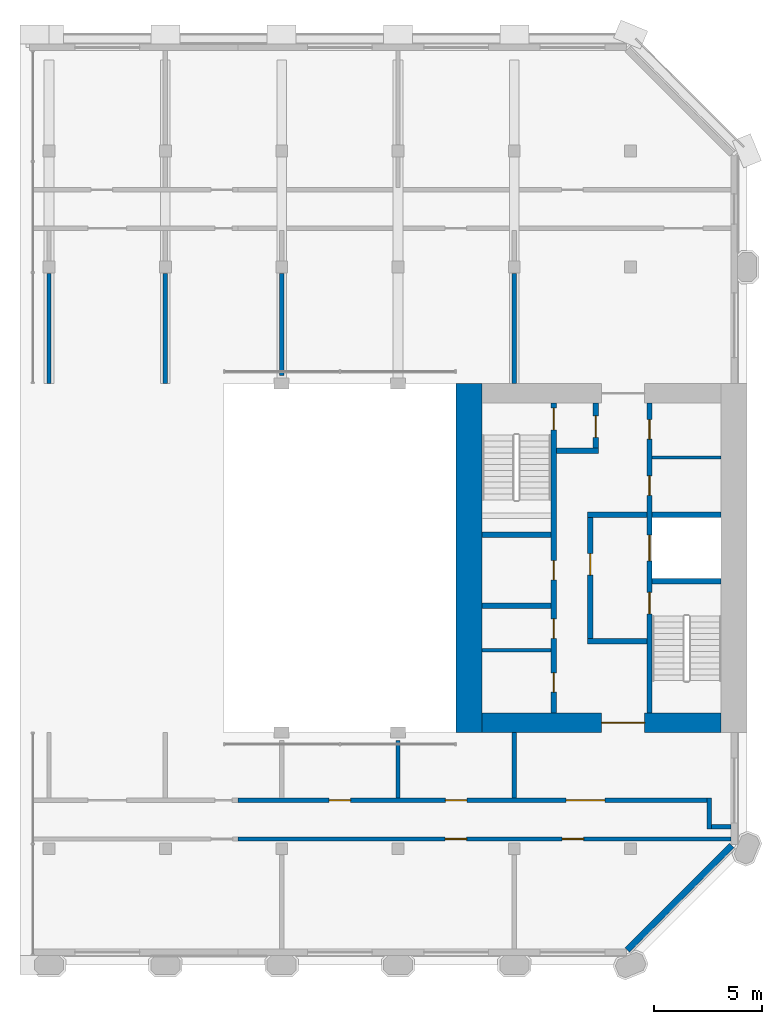
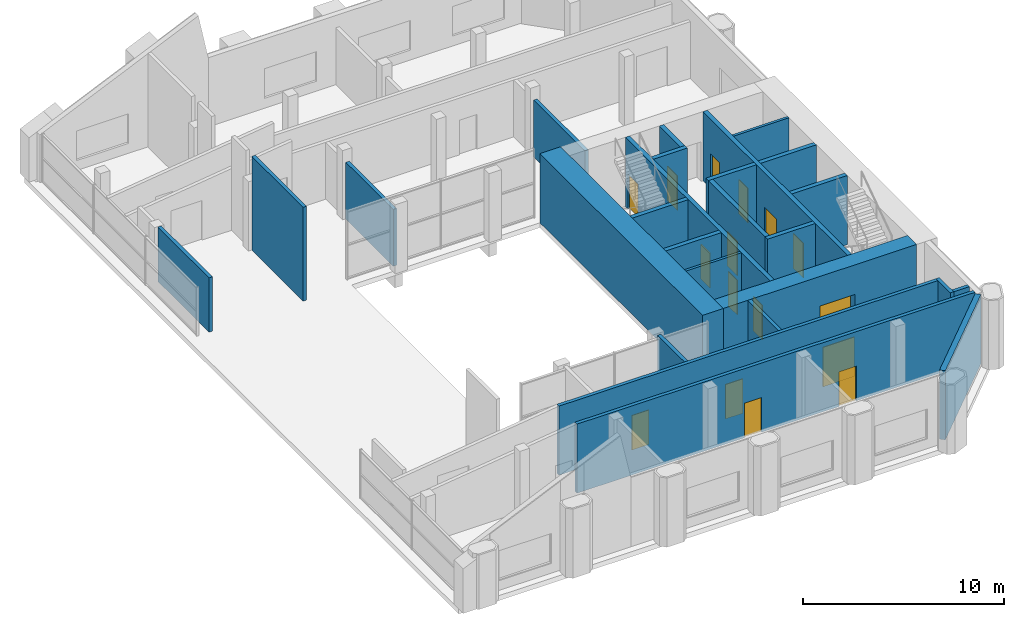
# One storey, part 5 of 9: 26 walls, 16 doors, 16 openings.
"""IFC4 building model written with IfcOpenShell, lengths in metres."""

from ifc_helpers import new_model, si_unit, direction, frame, frame_2d, origin, place, context, subcontext, project, spatial, polyline, rectangle, outline, extrude, material, layer, layer_set, type_object, element, fill, save


model = new_model("IFC4")

# Units and contexts
model_context = context("Model", 3, precision=1e-05, world=origin(), true_north=direction((0.0, 1.0)))
body_context = subcontext(model_context, "Body", "Model", "MODEL_VIEW")
ifc_project = project(units=[si_unit("LENGTHUNIT", "METRE"), si_unit("AREAUNIT", "SQUARE_METRE"), si_unit("VOLUMEUNIT", "CUBIC_METRE"), si_unit("PLANEANGLEUNIT", "RADIAN"), si_unit("MASSUNIT", "GRAM", prefix="KILO")], contexts=[model_context])

# Site, building, storey
site_placement = place(None, origin())
site = spatial("IfcSite", under=ifc_project, at=site_placement, CompositionType="ELEMENT")
building_placement = place(site_placement, origin())
building = spatial("IfcBuilding", under=site, at=building_placement, Name="Tabaq Tower and Sports Hall", CompositionType="ELEMENT")
storey_placement = place(building_placement, frame((0.0, 0.0, 326.199951171875)))
storey = spatial("IfcBuildingStorey", under=building, at=storey_placement, Name="L81", CompositionType="ELEMENT", Elevation=326.199951171875)

# Walls
ifc_material_1 = material(Name="Blockwork", Category="masonry")
ifc_layer_1 = layer(ifc_material_1, 0.14990234375)
ifc_layer_set_1 = layer_set([ifc_layer_1], Name="Core room partition 150 Blockwork")
wall_type_1 = type_object("IfcWallType", Name="Core room partition 150 Blockwork", PredefinedType="PARTITIONING", material=ifc_layer_set_1)
wall_1_placement = place(storey_placement, frame((38.800048828125, 28.962890625, 0.0), z_axis=(0.0, 0.0, 1.0), x_axis=(1.0, 0.0, 0.0)))
element("IfcWall", 1, at=wall_1_placement, inside=storey, type_object=wall_type_1, Name="Core room partition E L81", PredefinedType="PARTITIONING", context=body_context, shape_type="SweptSolid", body=[
    extrude(rectangle(XDim=3.199951171875, YDim=0.14990234375, at=frame_2d((1.60009765625, 0.0))), origin(), (0.0, 0.0, 1.0), 4.199951171875),
])
wall_2_placement = place(storey_placement, frame((30.89990234375, 20.010009765625, 0.0), z_axis=(0.0, 0.0, 1.0), x_axis=(1.0, 0.0, 0.0)))
element("IfcWall", 2, at=wall_2_placement, inside=storey, type_object=wall_type_1, Name="Core room partition E L81", PredefinedType="PARTITIONING", context=body_context, shape_type="SweptSolid", body=[
    extrude(rectangle(XDim=3.2001953125, YDim=0.14990234375, at=frame_2d((1.60009765625, 0.0))), origin(), (0.0, 0.0, 1.0), 4.199951171875),
])
ifc_material_2 = material(Name="Concrete C40/50", Category="concrete")
ifc_layer_2 = layer(ifc_material_2, 1.199951171875)
ifc_layer_set_2 = layer_set([ifc_layer_2], Name="Core wall 1200 Concrete C40/50")
wall_type_2 = type_object("IfcWallType", Name="Core wall 1200 Concrete C40/50", PredefinedType="SOLIDWALL", material=ifc_layer_set_2)
wall_3_placement = place(storey_placement, frame((30.300048828125, 16.199951171875, 0.0), z_axis=(0.0, 0.0, 1.0), x_axis=(0.0, 1.0, 0.0)))
element("IfcWall", 3, at=wall_3_placement, inside=storey, type_object=wall_type_2, Name="Core wall E L81", PredefinedType="SOLIDWALL", context=body_context, shape_type="SweptSolid", body=[
    extrude(rectangle(XDim=16.199951171875, YDim=1.199951171875, at=frame_2d((8.10009765625, 0.0))), origin(), (0.0, 0.0, 1.0), 4.199951171875),
])

# Wall, opening, door
ifc_material_3 = material(Name="Concrete C40/50", Category="concrete")
ifc_layer_3 = layer(ifc_material_3, 0.89990234375)
ifc_layer_set_3 = layer_set([ifc_layer_3], Name="Core wall 900 Concrete C40/50")
wall_type_3 = type_object("IfcWallType", Name="Core wall 900 Concrete C40/50", PredefinedType="SOLIDWALL", material=ifc_layer_set_3)
wall_4_placement = place(storey_placement, frame((42.0, 16.64990234375, 0.0), z_axis=(0.0, 0.0, 1.0), x_axis=(-1.0, 0.0, 0.0)))
wall_4 = element("IfcWall", 4, at=wall_4_placement, inside=storey, type_object=wall_type_3, Name="Core wall E L81", PredefinedType="SOLIDWALL", context=body_context, shape_type="SweptSolid", body=[
    extrude(rectangle(XDim=11.10009765625, YDim=0.89990234375, at=frame_2d((5.550048828125, 0.0))), origin(), (0.0, 0.0, 1.0), 4.199951171875),
])
opening_1_placement = place(wall_4_placement, frame((3.550048828125, 0.0, 0.0)))
opening_1 = element("IfcOpeningElement", 5, at=opening_1_placement, cuts=wall_4, Name="Opening PD-EL81-01", PredefinedType="OPENING", context=body_context, shape_type="SweptSolid", body=[
    extrude(rectangle(XDim=2.0, YDim=2.39990234375, at=frame_2d((1.0, 1.199951171875))), frame((0.0, 0.449951171875, 0.0), z_axis=(0.0, -1.0, 0.0), x_axis=(1.0, 0.0, 0.0)), (0.0, 0.0, 1.0), 0.89990234375),
])
ifc_material_4 = material(Name="Steel fire door", Category="steel")
door_type_1 = type_object("IfcDoorType", Name="Core entrance door 2000", OperationType="DOUBLE_DOOR_SINGLE_SWING", PredefinedType="DOOR", material=ifc_material_4)
door_1_placement = place(opening_1_placement, origin())
door_1 = element("IfcDoor", 6, at=door_1_placement, inside=storey, type_object=door_type_1, Name="Core entrance south E L81", OperationType="DOUBLE_DOOR_SINGLE_SWING", OverallHeight=2.39990234375, OverallWidth=2.0, PredefinedType="DOOR", context=body_context, shape_type="SweptSolid", body=[
    extrude(rectangle(XDim=2.0, YDim=2.39990234375, at=frame_2d((1.0, 1.199951171875))), frame((0.0, 0.02490234375, 0.0), z_axis=(0.0, -1.0, 0.0), x_axis=(1.0, 0.0, 0.0)), (0.0, 0.0, 1.0), 0.050048828125),
])
fill(opening_1, door_1)

# Walls
ifc_material_5 = material(Name="Blockwork", Category="masonry")
ifc_layer_4 = layer(ifc_material_5, 0.199951171875)
ifc_layer_set_4 = layer_set([ifc_layer_4], Name="Fire compartment wall 200 Blockwork")
wall_type_4 = type_object("IfcWallType", Name="Fire compartment wall 200 Blockwork", PredefinedType="PARTITIONING", material=ifc_layer_set_4)
wall_5_placement = place(storey_placement, frame((32.39990234375, 32.39990234375, 0.0), z_axis=(0.0, 0.0, 1.0), x_axis=(0.0, 1.0, 0.0)))
element("IfcWall", 7, at=wall_5_placement, inside=storey, type_object=wall_type_4, Name="Compartment wall L81", PredefinedType="PARTITIONING", context=body_context, shape_type="SweptSolid", body=[
    extrude(rectangle(XDim=5.10498046875, YDim=0.199951171875, at=frame_2d((2.552490234375, 0.0))), origin(), (0.0, 0.0, 1.0), 3.449951171875),
])
wall_6_placement = place(storey_placement, frame((21.60009765625, 37.5048828125, 0.0), z_axis=(0.0, 0.0, 1.0), x_axis=(0.0, -1.0, 0.0)))
element("IfcWall", 8, at=wall_6_placement, inside=storey, type_object=wall_type_4, Name="Compartment wall L81", PredefinedType="PARTITIONING", context=body_context, shape_type="SweptSolid", body=[
    extrude(rectangle(XDim=4.73486328125, YDim=0.199951171875, at=frame_2d((2.367431640625, 0.0))), origin(), (0.0, 0.0, 1.0), 3.449951171875),
])
wall_7_placement = place(storey_placement, frame((16.199951171875, 37.5048828125, 0.0), z_axis=(0.0, 0.0, 1.0), x_axis=(0.0, -1.0, 0.0)))
element("IfcWall", 9, at=wall_7_placement, inside=storey, type_object=wall_type_4, Name="Compartment wall L81", PredefinedType="PARTITIONING", context=body_context, shape_type="SweptSolid", body=[
    extrude(rectangle(XDim=5.10498046875, YDim=0.199951171875, at=frame_2d((2.552490234375, 0.0))), origin(), (0.0, 0.0, 1.0), 5.699951171875),
])
wall_8_placement = place(storey_placement, frame((10.800048828125, 37.5048828125, 0.0), z_axis=(0.0, 0.0, 1.0), x_axis=(0.0, -1.0, 0.0)))
element("IfcWall", 10, at=wall_8_placement, inside=storey, type_object=wall_type_4, Name="Compartment wall L81", PredefinedType="PARTITIONING", context=body_context, shape_type="SweptSolid", body=[
    extrude(rectangle(XDim=5.10498046875, YDim=0.199951171875, at=frame_2d((2.552490234375, 0.0))), origin(), (0.0, 0.0, 1.0), 3.300048828125),
])

# Wall, openings, doors
wall_9_placement = place(storey_placement, frame((42.448974609375, 11.25, 0.0), z_axis=(0.0, 0.0, 1.0), x_axis=(-1.0, 0.0, 0.0)))
wall_9 = element("IfcWall", 11, at=wall_9_placement, inside=storey, type_object=wall_type_4, Name="Compartment wall L81", PredefinedType="PARTITIONING", context=body_context, shape_type="SweptSolid", body=[
    extrude(rectangle(XDim=22.8740234375, YDim=0.199951171875, at=frame_2d((11.43701171875, 0.0))), origin(), (0.0, 0.0, 1.0), 4.199951171875),
])
opening_2_placement = place(wall_9_placement, frame((6.83203125, 0.0, 0.0)))
opening_2 = element("IfcOpeningElement", 12, at=opening_2_placement, cuts=wall_9, Name="Opening L81-006", PredefinedType="OPENING", context=body_context, shape_type="SweptSolid", body=[
    extrude(rectangle(XDim=1.0, YDim=2.10009765625, at=frame_2d((0.5, 1.050048828125))), frame((0.0, 0.10009765625, 0.0), z_axis=(0.0, -1.0, 0.0), x_axis=(1.0, 0.0, 0.0)), (0.0, 0.0, 1.0), 0.199951171875),
])
opening_3_placement = place(wall_9_placement, frame((12.26611328125, 0.0, 0.0)))
opening_3 = element("IfcOpeningElement", 13, at=opening_3_placement, cuts=wall_9, Name="Opening L81-007", PredefinedType="OPENING", context=body_context, shape_type="SweptSolid", body=[
    extrude(rectangle(XDim=1.0, YDim=2.10009765625, at=frame_2d((0.5, 1.050048828125))), frame((0.0, 0.10009765625, 0.0), z_axis=(0.0, -1.0, 0.0), x_axis=(1.0, 0.0, 0.0)), (0.0, 0.0, 1.0), 0.199951171875),
])
ifc_material_6 = material(Name="Steel fire door", Category="steel")
door_type_2 = type_object("IfcDoorType", Name="Plant room door 1000 left hand", OperationType="SINGLE_SWING_LEFT", PredefinedType="DOOR", material=ifc_material_6)
door_2_placement = place(opening_2_placement, origin())
door_2 = element("IfcDoor", 14, at=door_2_placement, inside=storey, type_object=door_type_2, Name="Plant room door L81-006", OperationType="SINGLE_SWING_LEFT", OverallHeight=2.10009765625, OverallWidth=1.0, PredefinedType="DOOR", context=body_context, shape_type="SweptSolid", body=[
    extrude(rectangle(XDim=1.0, YDim=2.10009765625, at=frame_2d((0.5, 1.050048828125))), frame((0.0, 0.02490234375, 0.0), z_axis=(0.0, -1.0, 0.0), x_axis=(1.0, 0.0, 0.0)), (0.0, 0.0, 1.0), 0.050048828125),
])
fill(opening_2, door_2)
ifc_material_7 = material(Name="Steel fire door", Category="steel")
door_type_3 = type_object("IfcDoorType", Name="Plant room door 1000 right hand", OperationType="SINGLE_SWING_RIGHT", PredefinedType="DOOR", material=ifc_material_7)
door_3_placement = place(opening_3_placement, origin())
door_3 = element("IfcDoor", 15, at=door_3_placement, inside=storey, type_object=door_type_3, Name="Plant room door L81-007", OperationType="SINGLE_SWING_RIGHT", OverallHeight=2.10009765625, OverallWidth=1.0, PredefinedType="DOOR", context=body_context, shape_type="SweptSolid", body=[
    extrude(rectangle(XDim=1.0, YDim=2.10009765625, at=frame_2d((0.5, 1.050048828125))), frame((0.0, 0.02490234375, 0.0), z_axis=(0.0, -1.0, 0.0), x_axis=(1.0, 0.0, 0.0)), (0.0, 0.0, 1.0), 0.050048828125),
])
fill(opening_3, door_3)

# Walls
wall_10_placement = place(storey_placement, frame((27.0, 15.830078125, 0.0), z_axis=(0.0, 0.0, 1.0), x_axis=(0.0, -1.0, 0.0)))
element("IfcWall", 16, at=wall_10_placement, inside=storey, type_object=wall_type_4, Name="Compartment wall L81", PredefinedType="PARTITIONING", context=body_context, shape_type="SweptSolid", body=[
    extrude(rectangle(XDim=2.68017578125, YDim=0.199951171875, at=frame_2d((1.340087890625, 0.0))), origin(), (0.0, 0.0, 1.0), 4.199951171875),
])
wall_11_placement = place(storey_placement, frame((32.39990234375, 13.14990234375, 0.0), z_axis=(0.0, 0.0, 1.0), x_axis=(0.0, 1.0, 0.0)))
element("IfcWall", 17, at=wall_11_placement, inside=storey, type_object=wall_type_4, Name="Compartment wall L81", PredefinedType="PARTITIONING", context=body_context, shape_type="SweptSolid", body=[
    extrude(rectangle(XDim=3.050048828125, YDim=0.199951171875, at=frame_2d((1.52490234375, 0.0))), origin(), (0.0, 0.0, 1.0), 4.199951171875),
])

# Wall, openings, doors
wall_12_placement = place(storey_placement, frame((19.574951171875, 13.050048828125, 0.0), z_axis=(0.0, 0.0, 1.0), x_axis=(1.0, 0.0, 0.0)))
wall_12 = element("IfcWall", 18, at=wall_12_placement, inside=storey, type_object=wall_type_4, Name="Compartment wall L81", PredefinedType="PARTITIONING", context=body_context, shape_type="SweptSolid", body=[
    extrude(rectangle(XDim=21.774169921875, YDim=0.199951171875, at=frame_2d((10.88720703125, 0.0))), origin(), (0.0, 0.0, 1.0), 4.199951171875),
])
opening_4_placement = place(wall_12_placement, frame((9.625, 0.0, 0.0)))
opening_4 = element("IfcOpeningElement", 19, at=opening_4_placement, cuts=wall_12, Name="Opening L81-009", PredefinedType="OPENING", context=body_context, shape_type="SweptSolid", body=[
    extrude(rectangle(XDim=1.0, YDim=2.10009765625, at=frame_2d((0.5, 1.050048828125))), frame((0.0, 0.10009765625, 0.0), z_axis=(0.0, -1.0, 0.0), x_axis=(1.0, 0.0, 0.0)), (0.0, 0.0, 1.0), 0.199951171875),
])
opening_5_placement = place(wall_12_placement, frame((4.22509765625, 0.0, 0.0)))
opening_5 = element("IfcOpeningElement", 20, at=opening_5_placement, cuts=wall_12, Name="Opening L81-010", PredefinedType="OPENING", context=body_context, shape_type="SweptSolid", body=[
    extrude(rectangle(XDim=1.0, YDim=2.10009765625, at=frame_2d((0.5, 1.050048828125))), frame((0.0, 0.10009765625, 0.0), z_axis=(0.0, -1.0, 0.0), x_axis=(1.0, 0.0, 0.0)), (0.0, 0.0, 1.0), 0.199951171875),
])
opening_6_placement = place(wall_12_placement, frame((15.22509765625, 0.0, 0.0)))
opening_6 = element("IfcOpeningElement", 21, at=opening_6_placement, cuts=wall_12, Name="Opening L81-014", PredefinedType="OPENING", context=body_context, shape_type="SweptSolid", body=[
    extrude(rectangle(XDim=1.800048828125, YDim=2.39990234375, at=frame_2d((0.89990234375, 1.199951171875))), frame((0.0, 0.10009765625, 0.0), z_axis=(0.0, -1.0, 0.0), x_axis=(1.0, 0.0, 0.0)), (0.0, 0.0, 1.0), 0.199951171875),
])
door_4_placement = place(opening_4_placement, origin())
door_4 = element("IfcDoor", 22, at=door_4_placement, inside=storey, type_object=door_type_2, Name="Plant room door L81-009", OperationType="SINGLE_SWING_LEFT", OverallHeight=2.10009765625, OverallWidth=1.0, PredefinedType="DOOR", context=body_context, shape_type="SweptSolid", body=[
    extrude(rectangle(XDim=1.0, YDim=2.10009765625, at=frame_2d((0.5, 1.050048828125))), frame((0.0, 0.02490234375, 0.0), z_axis=(0.0, -1.0, 0.0), x_axis=(1.0, 0.0, 0.0)), (0.0, 0.0, 1.0), 0.050048828125),
])
fill(opening_4, door_4)
ifc_material_8 = material(Name="Steel fire door", Category="steel")
door_type_4 = type_object("IfcDoorType", Name="Plant room door 1800", OperationType="DOUBLE_DOOR_SINGLE_SWING", PredefinedType="DOOR", material=ifc_material_8)
door_5_placement = place(opening_6_placement, origin())
door_5 = element("IfcDoor", 23, at=door_5_placement, inside=storey, type_object=door_type_4, Name="Plant room door L81-014", OperationType="DOUBLE_DOOR_SINGLE_SWING", OverallHeight=2.39990234375, OverallWidth=1.800048828125, PredefinedType="DOOR", context=body_context, shape_type="SweptSolid", body=[
    extrude(rectangle(XDim=1.800048828125, YDim=2.39990234375, at=frame_2d((0.89990234375, 1.199951171875))), frame((0.0, 0.02490234375, 0.0), z_axis=(0.0, -1.0, 0.0), x_axis=(1.0, 0.0, 0.0)), (0.0, 0.0, 1.0), 0.050048828125),
])
fill(opening_6, door_5)
ifc_material_9 = material(Name="Steel fire door", Category="steel")
door_type_5 = type_object("IfcDoorType", Name="Riser door 1000 right hand", OperationType="SINGLE_SWING_RIGHT", PredefinedType="DOOR", material=ifc_material_9)
door_6_placement = place(opening_5_placement, origin())
door_6 = element("IfcDoor", 24, at=door_6_placement, inside=storey, type_object=door_type_5, Name="Riser door L81-010", OperationType="SINGLE_SWING_RIGHT", OverallHeight=2.10009765625, OverallWidth=1.0, PredefinedType="DOOR", context=body_context, shape_type="SweptSolid", body=[
    extrude(rectangle(XDim=1.0, YDim=2.10009765625, at=frame_2d((0.5, 1.050048828125))), frame((0.0, 0.02490234375, 0.0), z_axis=(0.0, -1.0, 0.0), x_axis=(1.0, 0.0, 0.0)), (0.0, 0.0, 1.0), 0.050048828125),
])
fill(opening_5, door_6)

# Walls
wall_13_placement = place(storey_placement, frame((41.448974609375, 13.14990234375, 0.0), z_axis=(0.0, 0.0, 1.0), x_axis=(0.00085543168, -0.999999634118, 0.0)))
element("IfcWall", 25, at=wall_13_placement, inside=storey, type_object=wall_type_4, Name="Compartment wall L81", PredefinedType="PARTITIONING", context=body_context, shape_type="SweptSolid", body=[
    extrude(rectangle(XDim=1.427001953125, YDim=0.199951171875, at=frame_2d((0.71337890625, 0.0))), origin(), (0.0, 0.0, 1.0), 4.199951171875),
])
wall_14_placement = place(storey_placement, frame((41.550048828125, 11.822998046875, 0.0), z_axis=(0.0, 0.0, 1.0), x_axis=(1.0, 0.0, 0.0)))
element("IfcWall", 26, at=wall_14_placement, inside=storey, type_object=wall_type_4, Name="Compartment wall L81", PredefinedType="PARTITIONING", context=body_context, shape_type="SweptSolid", body=[
    extrude(rectangle(XDim=0.89990234375, YDim=0.199951171875, at=frame_2d((0.449951171875, 0.0))), origin(), (0.0, 0.0, 1.0), 4.199951171875),
])

# Wall, openings, doors
ifc_material_10 = material(Name="Concrete C40/50", Category="concrete")
ifc_layer_5 = layer(ifc_material_10, 0.25)
ifc_layer_set_5 = layer_set([ifc_layer_5], Name="Shaft and stair wall 250 Concrete C40/50")
wall_type_5 = type_object("IfcWallType", Name="Shaft and stair wall 250 Concrete C40/50", PredefinedType="SOLIDWALL", material=ifc_layer_set_5)
wall_15_placement = place(storey_placement, frame((38.675048828125, 17.10009765625, 0.0), z_axis=(0.0, 0.0, 1.0), x_axis=(0.0, 1.0, 0.0)))
wall_15 = element("IfcWall", 27, at=wall_15_placement, inside=storey, type_object=wall_type_5, Name="Shaft wall E L81", PredefinedType="SOLIDWALL", context=body_context, shape_type="SweptSolid", body=[
    extrude(rectangle(XDim=14.39990234375, YDim=0.25, at=frame_2d((7.199951171875, 0.0))), origin(), (0.0, 0.0, 1.0), 4.199951171875),
])
opening_7_placement = place(wall_15_placement, frame((4.60009765625, 0.0, 0.0)))
opening_7 = element("IfcOpeningElement", 28, at=opening_7_placement, cuts=wall_15, Name="Opening SD-EL81-03", PredefinedType="OPENING", context=body_context, shape_type="SweptSolid", body=[
    extrude(rectangle(XDim=1.0, YDim=2.10009765625, at=frame_2d((0.5, 1.050048828125))), frame((0.0, 0.125, 0.0), z_axis=(0.0, -1.0, 0.0), x_axis=(1.0, 0.0, 0.0)), (0.0, 0.0, 1.0), 0.25),
])
opening_8_placement = place(wall_15_placement, frame((7.0625, 0.0, 0.0)))
opening_8 = element("IfcOpeningElement", 29, at=opening_8_placement, cuts=wall_15, Name="Opening LD-FF2-L81", PredefinedType="OPENING", context=body_context, shape_type="SweptSolid", body=[
    extrude(rectangle(XDim=1.199951171875, YDim=2.10009765625, at=frame_2d((0.60009765625, 1.050048828125))), frame((0.0, 0.125, 0.0), z_axis=(0.0, -1.0, 0.0), x_axis=(1.0, 0.0, 0.0)), (0.0, 0.0, 1.0), 0.25),
])
opening_9_placement = place(wall_15_placement, frame((10.1064453125, 0.0, 0.0)))
opening_9 = element("IfcOpeningElement", 30, at=opening_9_placement, cuts=wall_15, Name="Opening RD-EL81-08", PredefinedType="OPENING", context=body_context, shape_type="SweptSolid", body=[
    extrude(rectangle(XDim=0.89990234375, YDim=2.10009765625, at=frame_2d((0.449951171875, 1.050048828125))), frame((0.0, 0.125, 0.0), z_axis=(0.0, -1.0, 0.0), x_axis=(1.0, 0.0, 0.0)), (0.0, 0.0, 1.0), 0.25),
])
opening_10_placement = place(wall_15_placement, frame((12.718994140625, 0.0, 0.0)))
opening_10 = element("IfcOpeningElement", 31, at=opening_10_placement, cuts=wall_15, Name="Opening RD-EL81-09", PredefinedType="OPENING", context=body_context, shape_type="SweptSolid", body=[
    extrude(rectangle(XDim=0.89990234375, YDim=2.10009765625, at=frame_2d((0.449951171875, 1.050048828125))), frame((0.0, 0.125, 0.0), z_axis=(0.0, -1.0, 0.0), x_axis=(1.0, 0.0, 0.0)), (0.0, 0.0, 1.0), 0.25),
])
ifc_material_11 = material(Name="Steel fire door", Category="steel")
door_type_6 = type_object("IfcDoorType", Name="Core room door 900", OperationType="SINGLE_SWING_LEFT", PredefinedType="DOOR", material=ifc_material_11)
door_7_placement = place(opening_9_placement, origin())
door_7 = element("IfcDoor", 32, at=door_7_placement, inside=storey, type_object=door_type_6, Name="Door Store Room E L81", OperationType="SINGLE_SWING_LEFT", OverallHeight=2.10009765625, OverallWidth=0.89990234375, PredefinedType="DOOR", context=body_context, shape_type="SweptSolid", body=[
    extrude(rectangle(XDim=0.89990234375, YDim=2.10009765625, at=frame_2d((0.449951171875, 1.050048828125))), frame((0.0, 0.02490234375, 0.0), z_axis=(0.0, -1.0, 0.0), x_axis=(1.0, 0.0, 0.0)), (0.0, 0.0, 1.0), 0.050048828125),
])
fill(opening_9, door_7)
door_8_placement = place(opening_10_placement, origin())
door_8 = element("IfcDoor", 33, at=door_8_placement, inside=storey, type_object=door_type_6, Name="Door Riser Room E L81", OperationType="SINGLE_SWING_LEFT", OverallHeight=2.10009765625, OverallWidth=0.89990234375, PredefinedType="DOOR", context=body_context, shape_type="SweptSolid", body=[
    extrude(rectangle(XDim=0.89990234375, YDim=2.10009765625, at=frame_2d((0.449951171875, 1.050048828125))), frame((0.0, 0.02490234375, 0.0), z_axis=(0.0, -1.0, 0.0), x_axis=(1.0, 0.0, 0.0)), (0.0, 0.0, 1.0), 0.050048828125),
])
fill(opening_10, door_8)
ifc_material_12 = material(Name="Stainless steel", Category="steel")
door_type_7 = type_object("IfcDoorType", Name="Lift landing door 1200", OperationType="DOUBLE_DOOR_SLIDING", PredefinedType="DOOR", material=ifc_material_12)
door_9_placement = place(opening_8_placement, origin())
door_9 = element("IfcDoor", 34, at=door_9_placement, inside=storey, type_object=door_type_7, Name="Lift landing door FF2 E L81", OperationType="DOUBLE_DOOR_SLIDING", OverallHeight=2.10009765625, OverallWidth=1.199951171875, PredefinedType="DOOR", context=body_context, shape_type="SweptSolid", body=[
    extrude(rectangle(XDim=1.199951171875, YDim=2.10009765625, at=frame_2d((0.60009765625, 1.050048828125))), frame((0.0, 0.02490234375, 0.0), z_axis=(0.0, -1.0, 0.0), x_axis=(1.0, 0.0, 0.0)), (0.0, 0.0, 1.0), 0.050048828125),
])
fill(opening_8, door_9)
ifc_material_13 = material(Name="Steel fire door", Category="steel")
door_type_8 = type_object("IfcDoorType", Name="Stair door 1000", OperationType="SINGLE_SWING_LEFT", PredefinedType="DOOR", material=ifc_material_13)
door_10_placement = place(opening_7_placement, origin())
door_10 = element("IfcDoor", 35, at=door_10_placement, inside=storey, type_object=door_type_8, Name="Stair door ST3 E L81", OperationType="SINGLE_SWING_LEFT", OverallHeight=2.10009765625, OverallWidth=1.0, PredefinedType="DOOR", context=body_context, shape_type="SweptSolid", body=[
    extrude(rectangle(XDim=1.0, YDim=2.10009765625, at=frame_2d((0.5, 1.050048828125))), frame((0.0, 0.02490234375, 0.0), z_axis=(0.0, -1.0, 0.0), x_axis=(1.0, 0.0, 0.0)), (0.0, 0.0, 1.0), 0.050048828125),
])
fill(opening_7, door_10)

wall_16_placement = place(storey_placement, frame((34.22509765625, 17.10009765625, 0.0), z_axis=(0.0, 0.0, 1.0), x_axis=(0.0, 1.0, 0.0)))
wall_16 = element("IfcWall", 36, at=wall_16_placement, inside=storey, type_object=wall_type_5, Name="Shaft wall E L81", PredefinedType="SOLIDWALL", context=body_context, shape_type="SweptSolid", body=[
    extrude(rectangle(XDim=14.39990234375, YDim=0.25, at=frame_2d((7.199951171875, 0.0))), origin(), (0.0, 0.0, 1.0), 4.199951171875),
])
opening_11_placement = place(wall_16_placement, frame((13.14990234375, 0.0, 0.0)))
opening_11 = element("IfcOpeningElement", 37, at=opening_11_placement, cuts=wall_16, Name="Opening SD-EL81-05", PredefinedType="OPENING", context=body_context, shape_type="SweptSolid", body=[
    extrude(rectangle(XDim=1.0, YDim=2.10009765625, at=frame_2d((0.5, 1.050048828125))), frame((0.0, 0.125, 0.0), z_axis=(0.0, -1.0, 0.0), x_axis=(1.0, 0.0, 0.0)), (0.0, 0.0, 1.0), 0.25),
])
opening_12_placement = place(wall_16_placement, frame((0.967529296875, 0.0, 0.0)))
opening_12 = element("IfcOpeningElement", 38, at=opening_12_placement, cuts=wall_16, Name="Opening RD-EL81-10", PredefinedType="OPENING", context=body_context, shape_type="SweptSolid", body=[
    extrude(rectangle(XDim=0.89990234375, YDim=2.10009765625, at=frame_2d((0.449951171875, 1.050048828125))), frame((0.0, 0.125, 0.0), z_axis=(0.0, -1.0, 0.0), x_axis=(1.0, 0.0, 0.0)), (0.0, 0.0, 1.0), 0.25),
])
opening_13_placement = place(wall_16_placement, frame((3.467529296875, 0.0, 0.0)))
opening_13 = element("IfcOpeningElement", 39, at=opening_13_placement, cuts=wall_16, Name="Opening RD-EL81-11", PredefinedType="OPENING", context=body_context, shape_type="SweptSolid", body=[
    extrude(rectangle(XDim=0.89990234375, YDim=2.10009765625, at=frame_2d((0.449951171875, 1.050048828125))), frame((0.0, 0.125, 0.0), z_axis=(0.0, -1.0, 0.0), x_axis=(1.0, 0.0, 0.0)), (0.0, 0.0, 1.0), 0.25),
])
opening_14_placement = place(wall_16_placement, frame((6.175048828125, 0.0, 0.0)))
opening_14 = element("IfcOpeningElement", 40, at=opening_14_placement, cuts=wall_16, Name="Opening RD-EL81-12", PredefinedType="OPENING", context=body_context, shape_type="SweptSolid", body=[
    extrude(rectangle(XDim=0.89990234375, YDim=2.10009765625, at=frame_2d((0.449951171875, 1.050048828125))), frame((0.0, 0.125, 0.0), z_axis=(0.0, -1.0, 0.0), x_axis=(1.0, 0.0, 0.0)), (0.0, 0.0, 1.0), 0.25),
])
door_11_placement = place(opening_12_placement, origin())
door_11 = element("IfcDoor", 41, at=door_11_placement, inside=storey, type_object=door_type_6, Name="Door Plant Room E L81", OperationType="SINGLE_SWING_LEFT", OverallHeight=2.10009765625, OverallWidth=0.89990234375, PredefinedType="DOOR", context=body_context, shape_type="SweptSolid", body=[
    extrude(rectangle(XDim=0.89990234375, YDim=2.10009765625, at=frame_2d((0.449951171875, 1.050048828125))), frame((0.0, 0.02490234375, 0.0), z_axis=(0.0, -1.0, 0.0), x_axis=(1.0, 0.0, 0.0)), (0.0, 0.0, 1.0), 0.050048828125),
])
fill(opening_12, door_11)
door_12_placement = place(opening_13_placement, origin())
door_12 = element("IfcDoor", 42, at=door_12_placement, inside=storey, type_object=door_type_6, Name="Door Plant Control Room E L81", OperationType="SINGLE_SWING_LEFT", OverallHeight=2.10009765625, OverallWidth=0.89990234375, PredefinedType="DOOR", context=body_context, shape_type="SweptSolid", body=[
    extrude(rectangle(XDim=0.89990234375, YDim=2.10009765625, at=frame_2d((0.449951171875, 1.050048828125))), frame((0.0, 0.02490234375, 0.0), z_axis=(0.0, -1.0, 0.0), x_axis=(1.0, 0.0, 0.0)), (0.0, 0.0, 1.0), 0.050048828125),
])
fill(opening_13, door_12)
door_13_placement = place(opening_14_placement, origin())
door_13 = element("IfcDoor", 43, at=door_13_placement, inside=storey, type_object=door_type_6, Name="Door Riser Room E L81", OperationType="SINGLE_SWING_LEFT", OverallHeight=2.10009765625, OverallWidth=0.89990234375, PredefinedType="DOOR", context=body_context, shape_type="SweptSolid", body=[
    extrude(rectangle(XDim=0.89990234375, YDim=2.10009765625, at=frame_2d((0.449951171875, 1.050048828125))), frame((0.0, 0.02490234375, 0.0), z_axis=(0.0, -1.0, 0.0), x_axis=(1.0, 0.0, 0.0)), (0.0, 0.0, 1.0), 0.050048828125),
])
fill(opening_14, door_13)
door_14_placement = place(opening_11_placement, origin())
door_14 = element("IfcDoor", 44, at=door_14_placement, inside=storey, type_object=door_type_8, Name="Stair door ST4 E L81", OperationType="SINGLE_SWING_LEFT", OverallHeight=2.10009765625, OverallWidth=1.0, PredefinedType="DOOR", context=body_context, shape_type="SweptSolid", body=[
    extrude(rectangle(XDim=1.0, YDim=2.10009765625, at=frame_2d((0.5, 1.050048828125))), frame((0.0, 0.02490234375, 0.0), z_axis=(0.0, -1.0, 0.0), x_axis=(1.0, 0.0, 0.0)), (0.0, 0.0, 1.0), 0.050048828125),
])
fill(opening_11, door_14)

# Walls
wall_17_placement = place(storey_placement, frame((38.800048828125, 23.22509765625, 0.0), z_axis=(0.0, 0.0, 1.0), x_axis=(1.0, 0.0, 0.0)))
element("IfcWall", 45, at=wall_17_placement, inside=storey, type_object=wall_type_5, Name="Stair enclosure wall E L81", PredefinedType="SOLIDWALL", context=body_context, shape_type="SweptSolid", body=[
    extrude(rectangle(XDim=3.199951171875, YDim=0.25, at=frame_2d((1.60009765625, 0.0))), origin(), (0.0, 0.0, 1.0), 4.199951171875),
])
for number, where, z_axis, x_axis, name in (
    (46, (30.89990234375, 25.375, 0.0), (0.0, 0.0, 1.0), (1.0, 0.0, 0.0), "Stair enclosure wall E L81"),
    (47, (30.89990234375, 22.074951171875, 0.0), (0.0, 0.0, 1.0), (1.0, 0.0, 0.0), "Shaft wall E L81"),
):
    element("IfcWall", number, at=place(storey_placement, frame(where, z_axis=z_axis, x_axis=x_axis)), inside=storey, type_object=wall_type_5, Name=name, PredefinedType="SOLIDWALL", context=body_context, shape_type="SweptSolid", body=[
        extrude(rectangle(XDim=3.2001953125, YDim=0.25, at=frame_2d((1.60009765625, 0.0))), origin(), (0.0, 0.0, 1.0), 4.199951171875),
    ])
wall_18_placement = place(storey_placement, frame((38.800048828125, 26.300048828125, 0.0), z_axis=(0.0, 0.0, 1.0), x_axis=(1.0, 0.0, 0.0)))
element("IfcWall", 48, at=wall_18_placement, inside=storey, type_object=wall_type_5, Name="Shaft wall E L81", PredefinedType="SOLIDWALL", context=body_context, shape_type="SweptSolid", body=[
    extrude(rectangle(XDim=3.199951171875, YDim=0.25, at=frame_2d((1.60009765625, 0.0))), origin(), (0.0, 0.0, 1.0), 4.199951171875),
])
for number, where, z_axis, x_axis, name in (
    (49, (35.800048828125, 26.300048828125, 0.0), (0.0, 0.0, 1.0), (1.0, 0.0, 0.0), "Fire-fighting lobby wall E L81"),
    (50, (35.800048828125, 20.425048828125, 0.0), (0.0, 0.0, 1.0), (1.0, 0.0, 0.0), "Fire-fighting lobby wall E L81"),
):
    element("IfcWall", number, at=place(storey_placement, frame(where, z_axis=z_axis, x_axis=x_axis)), inside=storey, type_object=wall_type_5, Name=name, PredefinedType="SOLIDWALL", context=body_context, shape_type="SweptSolid", body=[
        extrude(rectangle(XDim=2.75, YDim=0.25, at=frame_2d((1.375, 0.0))), origin(), (0.0, 0.0, 1.0), 4.199951171875),
    ])

# Wall, opening, door
wall_19_placement = place(storey_placement, frame((36.175048828125, 29.39990234375, 0.0), z_axis=(0.0, 0.0, 1.0), x_axis=(0.0, 1.0, 0.0)))
wall_19 = element("IfcWall", 51, at=wall_19_placement, inside=storey, type_object=wall_type_5, Name="Fire-fighting lobby wall E L81", PredefinedType="SOLIDWALL", context=body_context, shape_type="SweptSolid", body=[
    extrude(rectangle(XDim=2.10009765625, YDim=0.25, at=frame_2d((1.050048828125, 0.0))), origin(), (0.0, 0.0, 1.0), 4.199951171875),
])
opening_15_placement = place(wall_19_placement, frame((0.5, 0.0, 0.0)))
opening_15 = element("IfcOpeningElement", 52, at=opening_15_placement, cuts=wall_19, Name="Opening FD-EL81-06", PredefinedType="OPENING", context=body_context, shape_type="SweptSolid", body=[
    extrude(rectangle(XDim=1.0, YDim=2.10009765625, at=frame_2d((0.5, 1.050048828125))), frame((0.0, 0.125, 0.0), z_axis=(0.0, -1.0, 0.0), x_axis=(1.0, 0.0, 0.0)), (0.0, 0.0, 1.0), 0.25),
])
ifc_material_14 = material(Name="Steel fire door", Category="steel")
door_type_9 = type_object("IfcDoorType", Name="Fire-fighting lobby door 1000", OperationType="SINGLE_SWING_LEFT", PredefinedType="DOOR", material=ifc_material_14)
door_15_placement = place(opening_15_placement, origin())
door_15 = element("IfcDoor", 53, at=door_15_placement, inside=storey, type_object=door_type_9, Name="Stair lobby door E L81", OperationType="SINGLE_SWING_LEFT", OverallHeight=2.10009765625, OverallWidth=1.0, PredefinedType="DOOR", context=body_context, shape_type="SweptSolid", body=[
    extrude(rectangle(XDim=1.0, YDim=2.10009765625, at=frame_2d((0.5, 1.050048828125))), frame((0.0, 0.02490234375, 0.0), z_axis=(0.0, -1.0, 0.0), x_axis=(1.0, 0.0, 0.0)), (0.0, 0.0, 1.0), 0.050048828125),
])
fill(opening_15, door_15)

# Wall
wall_20_placement = place(storey_placement, frame((34.35009765625, 29.27490234375, 0.0), z_axis=(0.0, 0.0, 1.0), x_axis=(1.0, 0.0, 0.0)))
element("IfcWall", 54, at=wall_20_placement, inside=storey, type_object=wall_type_5, Name="Fire-fighting lobby wall E L81", PredefinedType="SOLIDWALL", context=body_context, shape_type="SweptSolid", body=[
    extrude(rectangle(XDim=1.949951171875, YDim=0.25, at=frame_2d((0.97509765625, 0.0))), origin(), (0.0, 0.0, 1.0), 4.199951171875),
])

# Wall, opening, door
wall_21_placement = place(storey_placement, frame((35.925048828125, 20.550048828125, 0.0), z_axis=(0.0, 0.0, 1.0), x_axis=(0.0, 1.0, 0.0)))
wall_21 = element("IfcWall", 55, at=wall_21_placement, inside=storey, type_object=wall_type_5, Name="Fire-fighting lobby wall E L81", PredefinedType="SOLIDWALL", context=body_context, shape_type="SweptSolid", body=[
    extrude(rectangle(XDim=5.625, YDim=0.25, at=frame_2d((2.8125, 0.0))), origin(), (0.0, 0.0, 1.0), 4.199951171875),
])
opening_16_placement = place(wall_21_placement, frame((2.949951171875, 0.0, 0.0)))
opening_16 = element("IfcOpeningElement", 56, at=opening_16_placement, cuts=wall_21, Name="Opening FD-EL81-04", PredefinedType="OPENING", context=body_context, shape_type="SweptSolid", body=[
    extrude(rectangle(XDim=1.0, YDim=2.10009765625, at=frame_2d((0.5, 1.050048828125))), frame((0.0, 0.125, 0.0), z_axis=(0.0, -1.0, 0.0), x_axis=(1.0, 0.0, 0.0)), (0.0, 0.0, 1.0), 0.25),
])
door_16_placement = place(opening_16_placement, origin())
door_16 = element("IfcDoor", 57, at=door_16_placement, inside=storey, type_object=door_type_9, Name="Fire-fighting lobby door E L81", OperationType="SINGLE_SWING_LEFT", OverallHeight=2.10009765625, OverallWidth=1.0, PredefinedType="DOOR", context=body_context, shape_type="SweptSolid", body=[
    extrude(rectangle(XDim=1.0, YDim=2.10009765625, at=frame_2d((0.5, 1.050048828125))), frame((0.0, 0.02490234375, 0.0), z_axis=(0.0, -1.0, 0.0), x_axis=(1.0, 0.0, 0.0)), (0.0, 0.0, 1.0), 0.050048828125),
])
fill(opening_16, door_16)

# Wall
ifc_material_15 = material(Name="White precast concrete C60/75", Category="concrete")
ifc_layer_6 = layer(ifc_material_15, 0.300048828125)
ifc_layer_set_6 = layer_set([ifc_layer_6], Name="White precast concrete C60/75 external wall 300")
wall_type_6 = type_object("IfcWallType", Name="White precast concrete C60/75 external wall 300", PredefinedType="SOLIDWALL", material=ifc_layer_set_6)
wall_22_placement = place(storey_placement, frame((37.650390625, 6.098876953125, 0.0), z_axis=(0.0, 0.0, 1.0), x_axis=(0.707106781187, 0.707106781187, 0.0)))
element("IfcWall", 58, at=wall_22_placement, inside=storey, type_object=wall_type_6, Name="External Wall L81 SE", PredefinedType="SOLIDWALL", context=body_context, shape_type="SweptSolid", body=[
    extrude(outline(polyline([(0.0, 0.0), (6.85986328125, 0.0), (6.859619140625, 4.199951171875), (6.2880859375, 4.199951171875), (5.71630859375, 4.199951171875), (5.144775390625, 4.199951171875), (4.5732421875, 4.199951171875), (4.00146484375, 4.199951171875), (3.429931640625, 4.199951171875), (2.858154296875, 4.199951171875), (2.28662109375, 4.199951171875), (1.71484375, 4.199951171875), (1.143310546875, 4.199951171875), (0.571533203125, 4.199951171875), (0.0, 4.199951171875), (0.0, 0.0)])), frame((0.0, 0.14990234375, 0.0), z_axis=(0.0, -1.0, 0.0), x_axis=(1.0, 0.0, 0.0)), (0.0, 0.0, 1.0), 0.300048828125),
])

save(model, "model.ifc")
